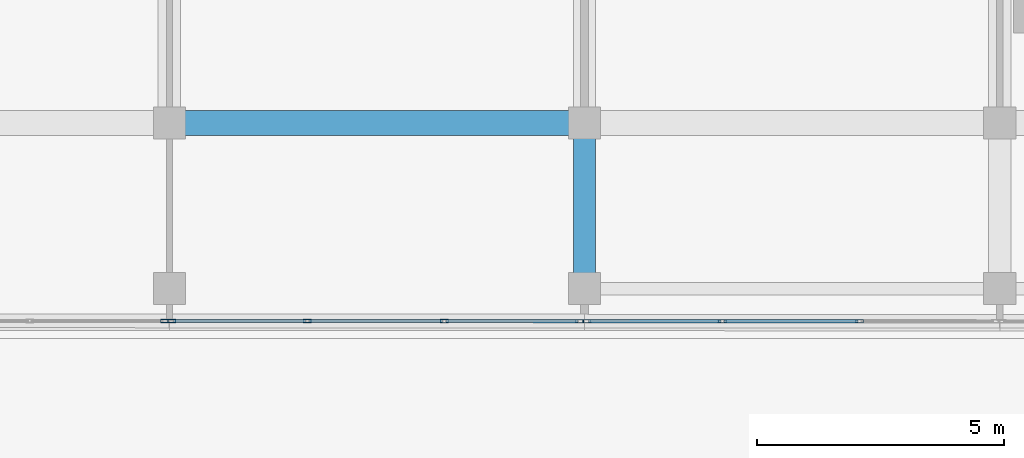
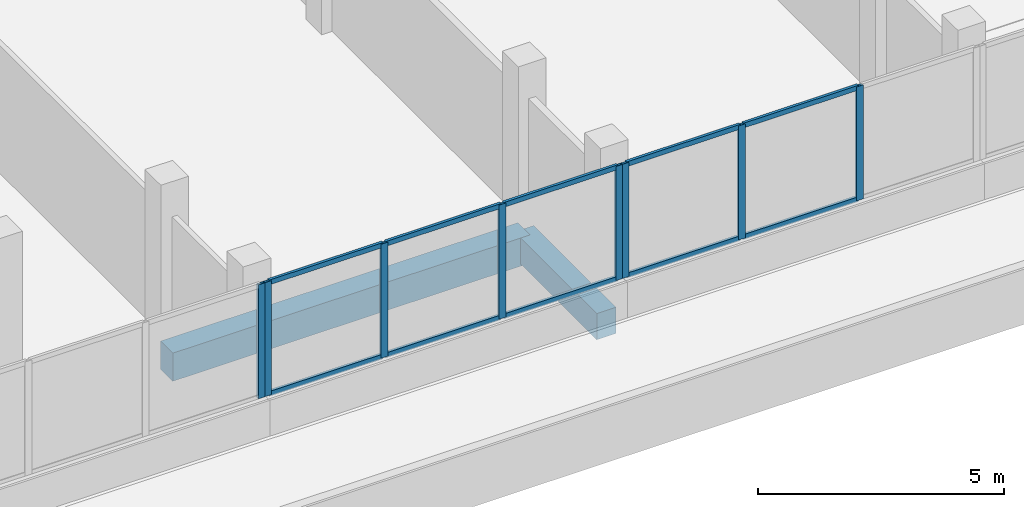
# One storey, part 4 of 78: 18 members, 2 beams, 3 elements without a shape of their own.
"""IFC4 building model written with IfcOpenShell, lengths in metres."""

from ifc_helpers import new_model, si_unit, direction, frame, origin, origin_2d, place, context, subcontext, project, spatial, rectangle, hollow_rectangle, extrude, material, material_profile, profile_set, type_object, element, aggregate, save


model = new_model("IFC4")

# Units and contexts
model_context = context("Model", 3, precision=1e-05, world=origin(), true_north=direction((0.0, 1.0)))
body_context = subcontext(model_context, "Body", "Model", "MODEL_VIEW")
ifc_project = project(units=[si_unit("LENGTHUNIT", "METRE"), si_unit("AREAUNIT", "SQUARE_METRE"), si_unit("VOLUMEUNIT", "CUBIC_METRE"), si_unit("PLANEANGLEUNIT", "RADIAN"), si_unit("MASSUNIT", "GRAM", prefix="KILO")], contexts=[model_context])

# Site, building, storey
site_placement = place(None, origin())
site = spatial("IfcSite", under=ifc_project, at=site_placement, CompositionType="ELEMENT")
building_placement = place(site_placement, origin())
building = spatial("IfcBuilding", under=site, at=building_placement, Name="Selatvlak General Hospital", CompositionType="ELEMENT")
storey_placement = place(building_placement, frame((0.0, 0.0, 23.25)))
storey = spatial("IfcBuildingStorey", under=building, at=storey_placement, Name="L05", CompositionType="ELEMENT", Elevation=23.25)

# Beams
ifc_material_1 = material(Name="Concrete C40/50", Category="concrete")
ifc_material_profile_1 = material_profile(ifc_material_1, rectangle(XDim=0.5, YDim=0.699951171875, at=origin_2d()), Name="RC-BM 500x700")
ifc_profile_set_1 = profile_set([ifc_material_profile_1], Name="Concrete C40/50")
beam_type_1 = type_object("IfcBeamType", Name="BM-G03", PredefinedType="BEAM", material=ifc_profile_set_1)
beam_1_placement = place(storey_placement, frame((31.199951171875, 92.0, -0.6298828125), z_axis=(1.0, 0.0, 0.0), x_axis=(0.0, 1.0, 0.0)))
element("IfcBeam", 1, at=beam_1_placement, inside=storey, type_object=beam_type_1, Name="Beam BMR-L05-1903", PredefinedType="BEAM", context=body_context, shape_type="SweptSolid", body=[
    extrude(rectangle(XDim=0.5, YDim=0.699951171875, at=origin_2d()), origin(), (0.0, 0.0, 1.0), 8.400146484375),
])
ifc_material_profile_2 = material_profile(ifc_material_1, rectangle(XDim=0.449951171875, YDim=0.64990234375, at=origin_2d()), Name="RC-BM 450x650")
ifc_profile_set_2 = profile_set([ifc_material_profile_2], Name="Concrete C40/50")
beam_type_2 = type_object("IfcBeamType", Name="BM-G04", PredefinedType="BEAM", material=ifc_profile_set_2)
beam_2_placement = place(storey_placement, frame((39.60009765625, 88.64990234375, -0.60498046875), z_axis=(0.0, 1.0, 0.0), x_axis=(-1.0, 0.0, 0.0)))
element("IfcBeam", 2, at=beam_2_placement, inside=storey, type_object=beam_type_2, Name="Beam BMR-L05-1994", PredefinedType="BEAM", context=body_context, shape_type="SweptSolid", body=[
    extrude(rectangle(XDim=0.449951171875, YDim=0.64990234375, at=origin_2d()), origin(), (0.0, 0.0, 1.0), 3.35009765625),
])

# Curtain wall, members
ifc_material_2 = material(Name="Solar-control Low-E double glazing", Category="glass")
curtain_wall_type_1 = type_object("IfcCurtainWallType", Name="CW-CW-01", PredefinedType="USERDEFINED", material=ifc_material_2)
curtain_wall_1_placement = place(storey_placement, origin())
curtain_wall_1 = element("IfcCurtainWall", 3, at=curtain_wall_1_placement, inside=storey, type_object=curtain_wall_type_1, Name="Glazed facade curtain wall CW-L05-0591", ObjectType="UNITISED CURTAIN WALL", PredefinedType="USERDEFINED")
ifc_material_3 = material(Name="Dark anodised aluminium mullion", Category="aluminium")
ifc_material_profile_3 = material_profile(ifc_material_3, hollow_rectangle(XDim=0.06494140625, YDim=0.159912109375, WallThickness=0.00390625, at=origin_2d()), Name="AL-MUL 65x160x4")
ifc_profile_set_3 = profile_set([ifc_material_profile_3], Name="Dark anodised aluminium mullion")
member_type_1 = type_object("IfcMemberType", Name="CWM-01", PredefinedType="MULLION", material=ifc_profile_set_3)
member_1_placement = place(storey_placement, frame((45.16162109375, 87.9892578125, 0.93994140625), z_axis=(0.0, 0.0, 1.0), x_axis=(-0.00048076918, -0.99999988443, 0.0)))
member_1 = element("IfcMember", 4, at=member_1_placement, type_object=member_type_1, Name="CW-01 mullion 2", PredefinedType="MULLION", context=body_context, shape_type="SweptSolid", body=[
    extrude(hollow_rectangle(XDim=0.06494140625, YDim=0.159912109375, WallThickness=0.00390625, at=origin_2d()), origin(), (0.0, 0.0, 1.0), 2.8349609375),
])
member_2_placement = place(storey_placement, frame((42.388427734375, 87.99072265625, 0.93994140625), z_axis=(0.0, 0.0, 1.0), x_axis=(-0.00048076918, -0.99999988443, 0.0)))
member_2 = element("IfcMember", 5, at=member_2_placement, type_object=member_type_1, Name="CW-01 mullion 3", PredefinedType="MULLION", context=body_context, shape_type="SweptSolid", body=[
    extrude(hollow_rectangle(XDim=0.06494140625, YDim=0.159912109375, WallThickness=0.00390625, at=origin_2d()), origin(), (0.0, 0.0, 1.0), 2.8349609375),
])
member_3_placement = place(storey_placement, frame((39.6474609375, 87.991943359375, 0.93994140625), z_axis=(0.0, 0.0, 1.0), x_axis=(-0.00048076918, -0.99999988443, 0.0)))
member_3 = element("IfcMember", 6, at=member_3_placement, type_object=member_type_1, Name="CW-01 mullion 4", PredefinedType="MULLION", context=body_context, shape_type="SweptSolid", body=[
    extrude(hollow_rectangle(XDim=0.06494140625, YDim=0.159912109375, WallThickness=0.00390625, at=origin_2d()), origin(), (0.0, 0.0, 1.0), 2.8349609375),
])

curtain_wall_type_2 = type_object("IfcCurtainWallType", Name="CW-CW-02", PredefinedType="USERDEFINED", material=ifc_material_2)
curtain_wall_2_placement = place(storey_placement, origin())
curtain_wall_2 = element("IfcCurtainWall", 7, at=curtain_wall_2_placement, inside=storey, type_object=curtain_wall_type_2, Name="Glazed facade curtain wall CW-L05-0592", ObjectType="UNITISED CURTAIN WALL", PredefinedType="USERDEFINED")
member_4_placement = place(storey_placement, frame((39.50244140625, 87.991943359375, 0.93994140625), z_axis=(0.0, 0.0, 1.0), x_axis=(-0.00048076918, -0.99999988443, 0.0)))
member_4 = element("IfcMember", 8, at=member_4_placement, type_object=member_type_1, Name="CW-02 mullion 1", PredefinedType="MULLION", context=body_context, shape_type="SweptSolid", body=[
    extrude(hollow_rectangle(XDim=0.06494140625, YDim=0.159912109375, WallThickness=0.00390625, at=origin_2d()), origin(), (0.0, 0.0, 1.0), 2.8349609375),
])
member_5_placement = place(storey_placement, frame((36.76171875, 87.993408203125, 0.93994140625), z_axis=(0.0, 0.0, 1.0), x_axis=(-0.00048076918, -0.99999988443, 0.0)))
member_5 = element("IfcMember", 9, at=member_5_placement, type_object=member_type_1, Name="CW-02 mullion 2", PredefinedType="MULLION", context=body_context, shape_type="SweptSolid", body=[
    extrude(hollow_rectangle(XDim=0.06494140625, YDim=0.159912109375, WallThickness=0.00390625, at=origin_2d()), origin(), (0.0, 0.0, 1.0), 2.8349609375),
])
member_6_placement = place(storey_placement, frame((33.98828125, 87.99462890625, 0.93994140625), z_axis=(0.0, 0.0, 1.0), x_axis=(-0.00048076918, -0.99999988443, 0.0)))
member_6 = element("IfcMember", 10, at=member_6_placement, type_object=member_type_1, Name="CW-02 mullion 3", PredefinedType="MULLION", context=body_context, shape_type="SweptSolid", body=[
    extrude(hollow_rectangle(XDim=0.06494140625, YDim=0.159912109375, WallThickness=0.00390625, at=origin_2d()), origin(), (0.0, 0.0, 1.0), 2.8349609375),
])
member_7_placement = place(storey_placement, frame((31.24755859375, 87.99609375, 0.93994140625), z_axis=(0.0, 0.0, 1.0), x_axis=(-0.00048076918, -0.99999988443, 0.0)))
member_7 = element("IfcMember", 11, at=member_7_placement, type_object=member_type_1, Name="CW-02 mullion 4", PredefinedType="MULLION", context=body_context, shape_type="SweptSolid", body=[
    extrude(hollow_rectangle(XDim=0.06494140625, YDim=0.159912109375, WallThickness=0.00390625, at=origin_2d()), origin(), (0.0, 0.0, 1.0), 2.8349609375),
])

# Curtain wall, member
curtain_wall_3_placement = place(storey_placement, origin())
curtain_wall_3 = element("IfcCurtainWall", 12, at=curtain_wall_3_placement, inside=storey, type_object=curtain_wall_type_1, Name="Glazed facade curtain wall CW-L05-0593", ObjectType="UNITISED CURTAIN WALL", PredefinedType="USERDEFINED")
member_8_placement = place(storey_placement, frame((31.1025390625, 87.99609375, 0.93994140625), z_axis=(0.0, 0.0, 1.0), x_axis=(-0.000483675886, -0.999999883029, 0.0)))
member_8 = element("IfcMember", 13, at=member_8_placement, type_object=member_type_1, Name="CW-01 mullion 1", PredefinedType="MULLION", context=body_context, shape_type="SweptSolid", body=[
    extrude(hollow_rectangle(XDim=0.06494140625, YDim=0.159912109375, WallThickness=0.00390625, at=origin_2d()), origin(), (0.0, 0.0, 1.0), 2.8349609375),
])
aggregate(curtain_wall_3, [member_8])

# Member
ifc_material_profile_4 = material_profile(ifc_material_3, hollow_rectangle(XDim=0.06494140625, YDim=0.1201171875, WallThickness=0.00390625, at=origin_2d()), Name="AL-TRN 65x120x4")
ifc_profile_set_4 = profile_set([ifc_material_profile_4], Name="Dark anodised aluminium mullion")
member_type_2 = type_object("IfcMemberType", Name="CWT-01", PredefinedType="USERDEFINED", material=ifc_profile_set_4)
member_9_placement = place(storey_placement, frame((45.129150390625, 87.9892578125, 0.972412109375), z_axis=(-0.999999853724, 0.000540881558, 0.0), x_axis=(-0.000540881558, -0.999999853724, 0.0)))
member_9 = element("IfcMember", 14, at=member_9_placement, type_object=member_type_2, Name="CW-01 transom 2.1", ObjectType="TRANSOM", PredefinedType="USERDEFINED", context=body_context, shape_type="SweptSolid", body=[
    extrude(hollow_rectangle(XDim=0.06494140625, YDim=0.1201171875, WallThickness=0.00390625, at=origin_2d()), origin(), (0.0, 0.0, 1.0), 2.708251953125),
])

member_10_placement = place(storey_placement, frame((45.129150390625, 87.9892578125, 3.742431640625), z_axis=(-0.999999853724, 0.000540881558, 0.0), x_axis=(-0.000540881558, -0.999999853724, 0.0)))
member_10 = element("IfcMember", 15, at=member_10_placement, type_object=member_type_2, Name="CW-01 transom 2.2", ObjectType="TRANSOM", PredefinedType="USERDEFINED", context=body_context, shape_type="SweptSolid", body=[
    extrude(hollow_rectangle(XDim=0.06494140625, YDim=0.1201171875, WallThickness=0.00390625, at=origin_2d()), origin(), (0.0, 0.0, 1.0), 2.708251953125),
])

member_11_placement = place(storey_placement, frame((42.355712890625, 87.99072265625, 0.972412109375), z_axis=(-0.999999895939, 0.000456204332, 0.0), x_axis=(-0.000456204332, -0.999999895939, 0.0)))
member_11 = element("IfcMember", 16, at=member_11_placement, type_object=member_type_2, Name="CW-01 transom 3.1", ObjectType="TRANSOM", PredefinedType="USERDEFINED", context=body_context, shape_type="SweptSolid", body=[
    extrude(hollow_rectangle(XDim=0.06494140625, YDim=0.1201171875, WallThickness=0.00390625, at=origin_2d()), origin(), (0.0, 0.0, 1.0), 2.67578125),
])

member_12_placement = place(storey_placement, frame((42.355712890625, 87.99072265625, 3.742431640625), z_axis=(-0.999999895939, 0.000456204332, 0.0), x_axis=(-0.000456204332, -0.999999895939, 0.0)))
member_12 = element("IfcMember", 17, at=member_12_placement, type_object=member_type_2, Name="CW-01 transom 3.2", ObjectType="TRANSOM", PredefinedType="USERDEFINED", context=body_context, shape_type="SweptSolid", body=[
    extrude(hollow_rectangle(XDim=0.06494140625, YDim=0.1201171875, WallThickness=0.00390625, at=origin_2d()), origin(), (0.0, 0.0, 1.0), 2.67578125),
])

aggregate(curtain_wall_1, [member_1, member_2, member_3, member_9, member_10, member_11, member_12])

member_13_placement = place(storey_placement, frame((39.469970703125, 87.991943359375, 0.972412109375), z_axis=(-0.999999850152, 0.000547445173, 0.0), x_axis=(-0.000547445173, -0.999999850152, 0.0)))
member_13 = element("IfcMember", 18, at=member_13_placement, type_object=member_type_2, Name="CW-02 transom 1.1", ObjectType="TRANSOM", PredefinedType="USERDEFINED", context=body_context, shape_type="SweptSolid", body=[
    extrude(hollow_rectangle(XDim=0.06494140625, YDim=0.1201171875, WallThickness=0.00390625, at=origin_2d()), origin(), (0.0, 0.0, 1.0), 2.67578125),
])

member_14_placement = place(storey_placement, frame((39.469970703125, 87.991943359375, 3.742431640625), z_axis=(-0.999999850152, 0.000547445173, 0.0), x_axis=(-0.000547445173, -0.999999850152, 0.0)))
member_14 = element("IfcMember", 19, at=member_14_placement, type_object=member_type_2, Name="CW-02 transom 1.2", ObjectType="TRANSOM", PredefinedType="USERDEFINED", context=body_context, shape_type="SweptSolid", body=[
    extrude(hollow_rectangle(XDim=0.06494140625, YDim=0.1201171875, WallThickness=0.00390625, at=origin_2d()), origin(), (0.0, 0.0, 1.0), 2.67578125),
])

member_15_placement = place(storey_placement, frame((36.729248046875, 87.993408203125, 0.972412109375), z_axis=(-0.999999898437, 0.000450694023, 0.0), x_axis=(-0.000450694023, -0.999999898437, 0.0)))
member_15 = element("IfcMember", 20, at=member_15_placement, type_object=member_type_2, Name="CW-02 transom 2.1", ObjectType="TRANSOM", PredefinedType="USERDEFINED", context=body_context, shape_type="SweptSolid", body=[
    extrude(hollow_rectangle(XDim=0.06494140625, YDim=0.1201171875, WallThickness=0.00390625, at=origin_2d()), origin(), (0.0, 0.0, 1.0), 2.70849609375),
])

member_16_placement = place(storey_placement, frame((36.729248046875, 87.993408203125, 3.742431640625), z_axis=(-0.999999898437, 0.000450694023, 0.0), x_axis=(-0.000450694023, -0.999999898437, 0.0)))
member_16 = element("IfcMember", 21, at=member_16_placement, type_object=member_type_2, Name="CW-02 transom 2.2", ObjectType="TRANSOM", PredefinedType="USERDEFINED", context=body_context, shape_type="SweptSolid", body=[
    extrude(hollow_rectangle(XDim=0.06494140625, YDim=0.1201171875, WallThickness=0.00390625, at=origin_2d()), origin(), (0.0, 0.0, 1.0), 2.70849609375),
])

member_17_placement = place(storey_placement, frame((33.955810546875, 87.99462890625, 0.972412109375), z_axis=(-0.999999895939, 0.000456204332, 0.0), x_axis=(-0.000456204332, -0.999999895939, 0.0)))
member_17 = element("IfcMember", 22, at=member_17_placement, type_object=member_type_2, Name="CW-02 transom 3.1", ObjectType="TRANSOM", PredefinedType="USERDEFINED", context=body_context, shape_type="SweptSolid", body=[
    extrude(hollow_rectangle(XDim=0.06494140625, YDim=0.1201171875, WallThickness=0.00390625, at=origin_2d()), origin(), (0.0, 0.0, 1.0), 2.67578125),
])

member_18_placement = place(storey_placement, frame((33.955810546875, 87.99462890625, 3.742431640625), z_axis=(-0.999999895939, 0.000456204332, 0.0), x_axis=(-0.000456204332, -0.999999895939, 0.0)))
member_18 = element("IfcMember", 23, at=member_18_placement, type_object=member_type_2, Name="CW-02 transom 3.2", ObjectType="TRANSOM", PredefinedType="USERDEFINED", context=body_context, shape_type="SweptSolid", body=[
    extrude(hollow_rectangle(XDim=0.06494140625, YDim=0.1201171875, WallThickness=0.00390625, at=origin_2d()), origin(), (0.0, 0.0, 1.0), 2.67578125),
])

aggregate(curtain_wall_2, [member_4, member_5, member_6, member_7, member_13, member_14, member_15, member_16, member_17, member_18])

save(model, "model.ifc")
